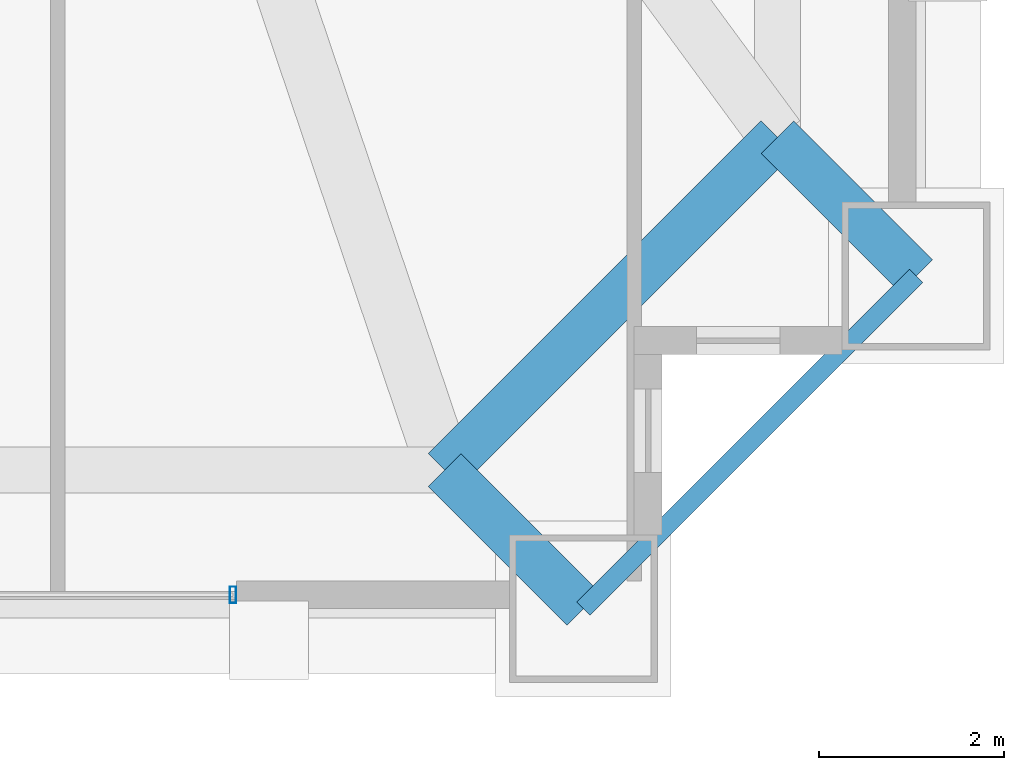
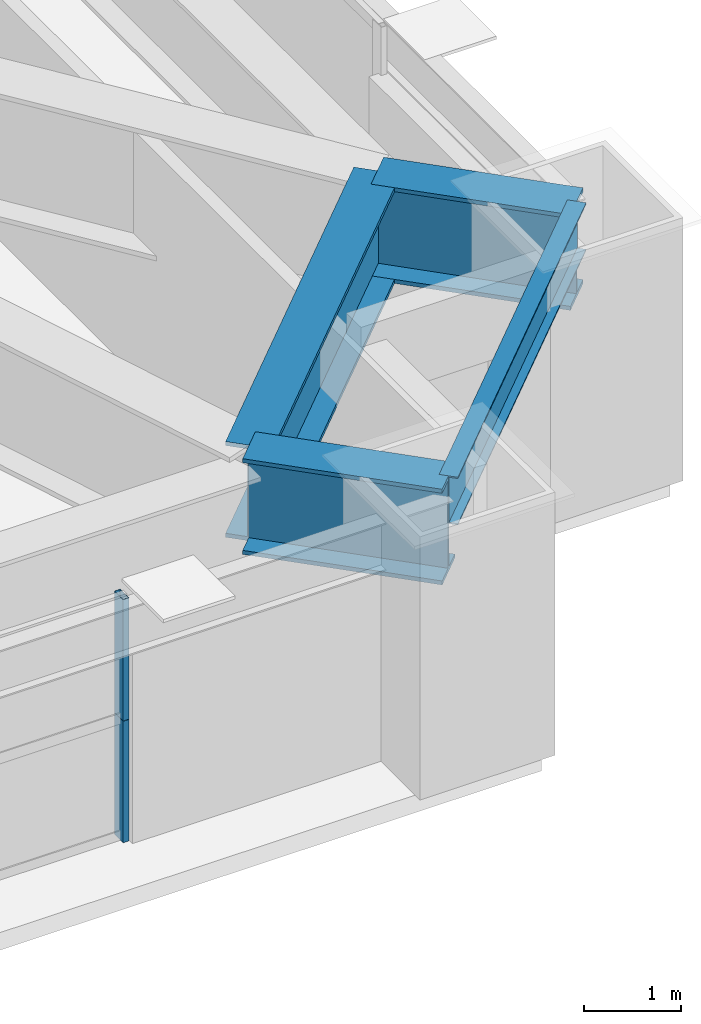
# One storey, part 18 of 45: 4 beams, 2 members, 1 element without a shape of its own.
"""IFC4 building model written with IfcOpenShell, lengths in metres."""

from ifc_helpers import new_model, si_unit, direction, frame, origin, origin_2d, place, context, subcontext, project, spatial, hollow_rectangle, i_section, extrude, source, transform, mapped, material, layer, layer_set, material_profile, profile_set, type_object, element, aggregate, save


model = new_model("IFC4")

# Units and contexts
model_context = context("Model", 3, precision=1e-05, world=origin(), true_north=direction((0.0, 1.0)))
body_context = subcontext(model_context, "Body", "Model", "MODEL_VIEW")
ifc_project = project(units=[si_unit("LENGTHUNIT", "METRE"), si_unit("AREAUNIT", "SQUARE_METRE"), si_unit("VOLUMEUNIT", "CUBIC_METRE"), si_unit("PLANEANGLEUNIT", "RADIAN"), si_unit("MASSUNIT", "GRAM", prefix="KILO"), si_unit("THERMODYNAMICTEMPERATUREUNIT", "KELVIN"), si_unit("POWERUNIT", "WATT")], contexts=[model_context])

# Site, building, storey
site_placement = place(None, origin())
site = spatial("IfcSite", under=ifc_project, at=site_placement, CompositionType="ELEMENT")
building_placement = place(site_placement, origin())
building = spatial("IfcBuilding", under=site, at=building_placement, Name="Yuzanri Waterfront Tower", CompositionType="ELEMENT")
storey_placement = place(building_placement, frame((0.0, 0.0, 163.199951171875)))
storey = spatial("IfcBuildingStorey", under=building, at=storey_placement, Name="L43", CompositionType="ELEMENT", Elevation=163.199951171875)

# Beams
ifc_material_1 = material(Name="Steel Q355B", Category="steel")
ifc_material_profile_1 = material_profile(ifc_material_1, i_section(OverallWidth=0.199951171875, OverallDepth=0.60009765625, WebThickness=0.010986328125, FlangeThickness=0.01708984375, at=origin_2d()), Name="HN 600x200x11x17")
ifc_profile_set_1 = profile_set([ifc_material_profile_1], Name="Steel Q355B")
beam_type_1 = type_object("IfcBeamType", Name="Perimeter Spandrel Q355B HN 600x200", PredefinedType="SPANDREL", material=ifc_profile_set_1)
shared_shape_1 = source(origin(), body_context, "Body", "SweptSolid", [
    extrude(i_section(OverallWidth=0.199951171875, OverallDepth=0.60009765625, WebThickness=0.010986328125, FlangeThickness=0.01708984375, at=origin_2d()), origin(), (0.0, 0.0, 1.0), 5.09130859375),
])
beam_1_placement = place(storey_placement, frame((57.0, 2.199951171875, 3.0), z_axis=(0.707106781187, 0.707106781187, 0.0), x_axis=(-0.707106781187, 0.707106781187, 0.0)))
element("IfcBeam", 1, at=beam_1_placement, inside=storey, type_object=beam_type_1, Name="L43 Perimeter Spandrel S3-E1", PredefinedType="SPANDREL", context=body_context, shape_type="MappedRepresentation", body=[
    mapped(shared_shape_1, transform((0.0, 0.0, 0.0), scale=1.0)),
])
ifc_material_2 = material(Name="Steel Q420GJC", Category="steel")
ifc_material_profile_2 = material_profile(ifc_material_2, i_section(OverallWidth=0.5, OverallDepth=1.199951171875, WebThickness=0.028076171875, FlangeThickness=0.050048828125, at=origin_2d()), Name="PG 1200x500x28x50")
ifc_profile_set_2 = profile_set([ifc_material_profile_2], Name="Steel Q420GJC")
beam_type_2 = type_object("IfcBeamType", Name="Setback Transfer Girder Q420GJC PG 1200x500", PredefinedType="USERDEFINED", material=ifc_profile_set_2)
shared_shape_2 = source(origin(), body_context, "Body", "SweptSolid", [
    extrude(i_section(OverallWidth=0.5, OverallDepth=1.199951171875, WebThickness=0.028076171875, FlangeThickness=0.050048828125, at=origin_2d()), origin(), (0.0, 0.0, 1.0), 2.121337890625),
])
for number, where, z_axis, x_axis, name in (
    (2, (55.5, 3.699951171875, 2.699951171875), (0.707106781187, -0.707106781187, 0.0), (0.707106781187, 0.707106781187, 0.0), "L43 Setback Step Transfer S3"),
    (3, (59.10009765625, 7.300048828125, 2.699951171875), (0.707106781187, -0.707106781187, 0.0), (0.707106781187, 0.707106781187, 0.0), "L43 Setback Step Transfer E1"),
):
    element("IfcBeam", number, at=place(storey_placement, frame(where, z_axis=z_axis, x_axis=x_axis)), inside=storey, type_object=beam_type_2, Name=name, ObjectType="GIRDER", PredefinedType="USERDEFINED", context=body_context, shape_type="MappedRepresentation", body=[
        mapped(shared_shape_2, transform((0.0, 0.0, 0.0), scale=1.0)),
    ])
shared_shape_3 = source(origin(), body_context, "Body", "SweptSolid", [
    extrude(i_section(OverallWidth=0.5, OverallDepth=1.199951171875, WebThickness=0.028076171875, FlangeThickness=0.050048828125, at=origin_2d()), origin(), (0.0, 0.0, 1.0), 5.09130859375),
])
beam_2_placement = place(storey_placement, frame((55.5, 3.699951171875, 2.699951171875), z_axis=(0.707106781187, 0.707106781187, 0.0), x_axis=(-0.707106781187, 0.707106781187, 0.0)))
element("IfcBeam", 4, at=beam_2_placement, inside=storey, type_object=beam_type_2, Name="L43 Setback Upper Ring S3-E1", ObjectType="GIRDER", PredefinedType="USERDEFINED", context=body_context, shape_type="MappedRepresentation", body=[
    mapped(shared_shape_3, transform((0.0, 0.0, 0.0), scale=1.0)),
])

# Curtain wall, members
ifc_material_3 = material(Name="Anodized Architectural Bronze", Category="metal")
ifc_layer = layer(ifc_material_3, 0.159912109375)
ifc_layer_set = layer_set([ifc_layer], Name="Anodized Architectural Bronze")
curtain_wall_type = type_object("IfcCurtainWallType", Name="Anodized Bronze Hotel Upper-Tier Solar-Control Unitized Curtain Wall 7800", PredefinedType="NOTDEFINED", material=ifc_layer_set)
curtain_wall_placement = place(storey_placement, origin())
curtain_wall = element("IfcCurtainWall", 5, at=curtain_wall_placement, inside=storey, type_object=curtain_wall_type, Name="L43 Curtain Wall CW-L43-SR", PredefinedType="NOTDEFINED")
ifc_material_4 = material(Name="Anodized Architectural Bronze", Category="metal")
ifc_material_profile_3 = material_profile(ifc_material_4, hollow_rectangle(XDim=0.070068359375, YDim=0.179931640625, WallThickness=0.00390625, at=origin_2d()), Name="CWM 70x180")
ifc_profile_set_3 = profile_set([ifc_material_profile_3], Name="Anodized Architectural Bronze")
member_type = type_object("IfcMemberType", Name="Anodized Bronze Standard Curtain-Wall Mullion 70x180", PredefinedType="MULLION", material=ifc_profile_set_3)
shared_shape_4 = source(origin(), body_context, "Body", "SweptSolid", [
    extrude(hollow_rectangle(XDim=0.070068359375, YDim=0.179931640625, WallThickness=0.00390625, at=origin_2d()), origin(), (0.0, 0.0, 1.0), 1.52294921875),
])
member_1_placement = place(storey_placement, frame((53.2099609375, 2.35009765625, 0.0), z_axis=(0.0, 0.0, 1.0), x_axis=(1.0, 0.0, 0.0)))
member_1 = element("IfcMember", 6, at=member_1_placement, type_object=member_type, Name="CW-L43-SR Lower Mullion 02", PredefinedType="MULLION", context=body_context, shape_type="MappedRepresentation", body=[
    mapped(shared_shape_4, transform((0.0, 0.0, 0.0), scale=1.0)),
])
member_2_placement = place(storey_placement, frame((53.2099609375, 2.35009765625, 1.527099609375), z_axis=(0.0, 0.0, 1.0), x_axis=(1.0, 0.0, 0.0)))
member_2 = element("IfcMember", 7, at=member_2_placement, type_object=member_type, Name="CW-L43-SR Upper Mullion 02", PredefinedType="MULLION", context=body_context, shape_type="MappedRepresentation", body=[
    mapped(shared_shape_4, transform((0.0, 0.0, 0.0), scale=1.0)),
])
aggregate(curtain_wall, [member_1, member_2])

save(model, "model.ifc")
